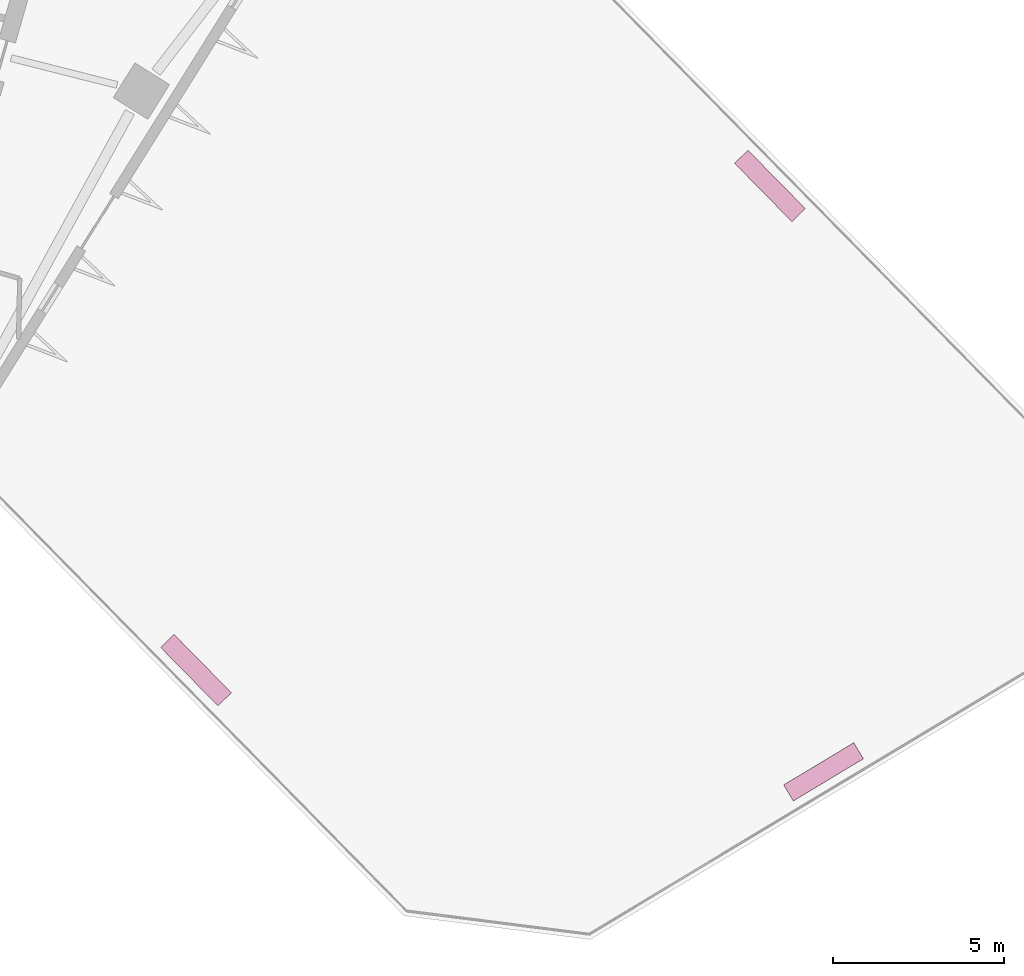
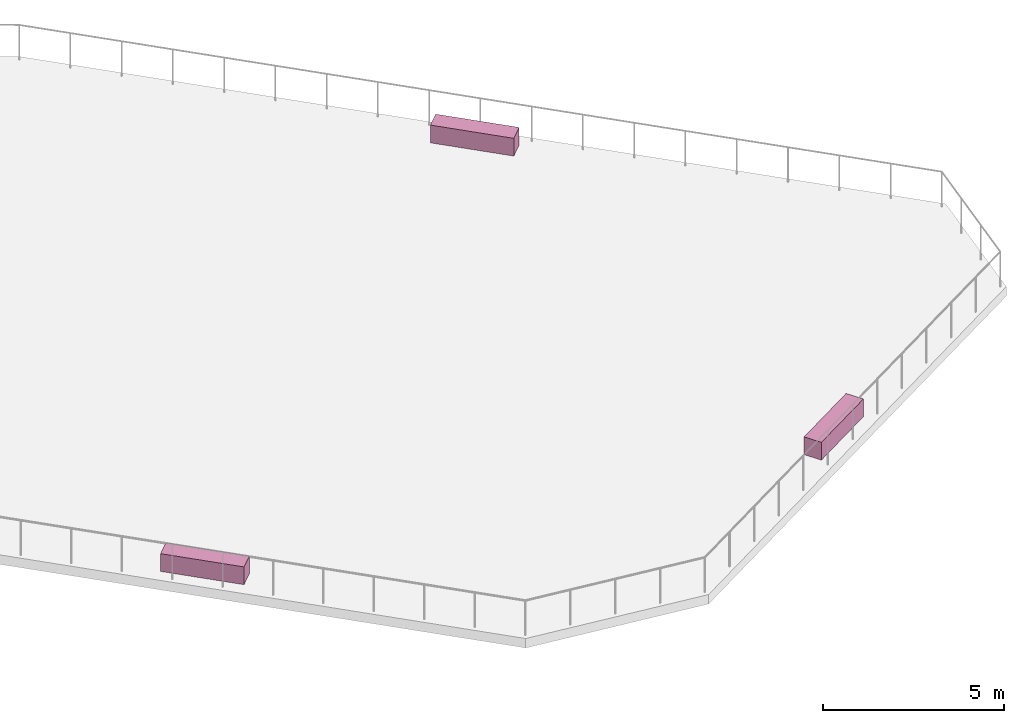
# One storey, part 12 of 12: 3 furnishings.
"""IFC4 building model written with IfcOpenShell, lengths in metres."""

from ifc_helpers import new_model, si_unit, direction, frame, origin, origin_2d, place, context, subcontext, project, spatial, rectangle, extrude, material, type_object, element, save


model = new_model("IFC4")

# Units and contexts
model_context = context("Model", 3, precision=1e-05, world=origin(), true_north=direction((0.0, 1.0)))
body_context = subcontext(model_context, "Body", "Model", "MODEL_VIEW")
ifc_project = project(units=[si_unit("LENGTHUNIT", "METRE"), si_unit("AREAUNIT", "SQUARE_METRE"), si_unit("VOLUMEUNIT", "CUBIC_METRE"), si_unit("PLANEANGLEUNIT", "RADIAN"), si_unit("MASSUNIT", "GRAM", prefix="KILO")], contexts=[model_context])

# Site, building, storey
site_placement = place(None, origin())
site = spatial("IfcSite", under=ifc_project, at=site_placement, CompositionType="ELEMENT")
building_placement = place(site_placement, origin())
building = spatial("IfcBuilding", under=site, at=building_placement, Name="Binnacle Exchange Tower", CompositionType="ELEMENT")
storey_placement = place(building_placement, frame((0.0, 0.0, 154.89990234375)))
storey = spatial("IfcBuildingStorey", under=building, at=storey_placement, Name="L32", CompositionType="ELEMENT", Elevation=154.89990234375)

# Furnishings
ifc_material = material(Name="Concrete C35/45", Category="concrete")
furnishing_element_type = type_object("IfcFurnishingElementType", Name="PLANTER 2400x550x600", material=ifc_material)
for number, where, z_axis, x_axis, name in (
    (1, (32.589599609375, 34.419189453125, 0.0), (0.0, 0.0, 1.0), (0.7009092643, -0.713250449154, 0.0), "Planter 2 Terrace T3"),
    (2, (50.97900390625, 31.43701171875, 0.0), (0.0, 0.0, 1.0), (0.857169098519, 0.515035082829, 0.0), "Planter 4 Terrace T3"),
    (3, (49.41015625, 48.60693359375, 0.0), (0.0, 0.0, 1.0), (-0.7009092643, 0.713250449154, 0.0), "Planter 6 Terrace T3"),
):
    element("IfcFurnishingElement", number, at=place(storey_placement, frame(where, z_axis=z_axis, x_axis=x_axis)), inside=storey, type_object=furnishing_element_type, Name=name, ObjectType="PLANTER", context=body_context, shape_type="SweptSolid", body=[
        extrude(rectangle(XDim=2.39990234375, YDim=0.550048828125, at=origin_2d()), origin(), (0.0, 0.0, 1.0), 0.60009765625),
    ])

save(model, "model.ifc")
